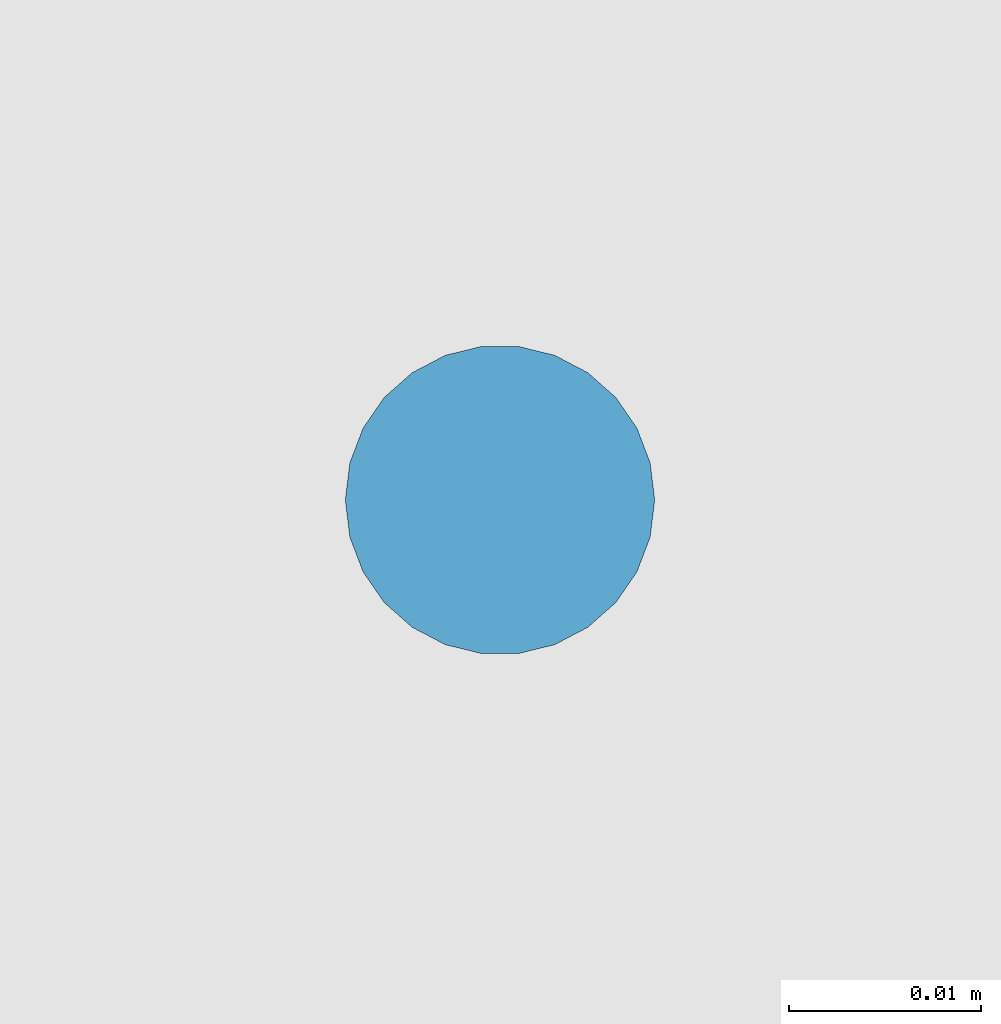
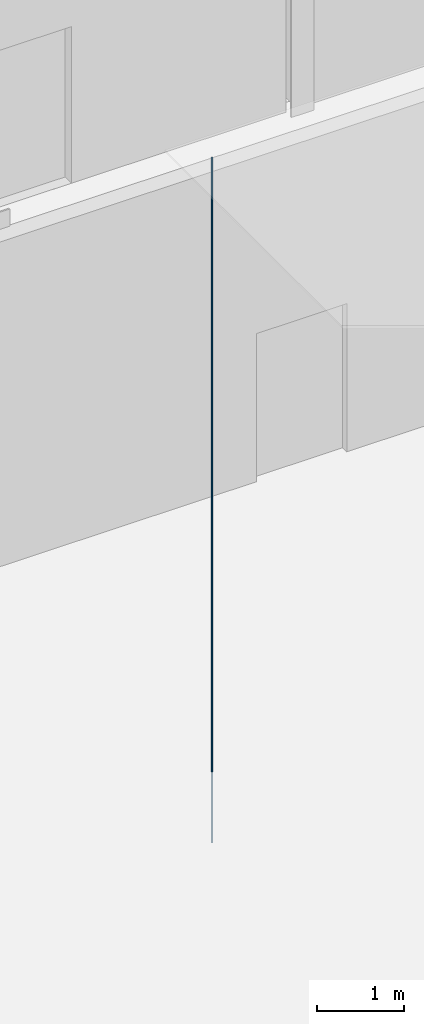
# One storey, part 64 of 82: 1 discrete accessory.
"""IFC4 building model written with IfcOpenShell, lengths in metres."""

import ifcopenshell
import ifcopenshell.guid

model = None  # the IFC model being written
_history = None  # IfcOwnerHistory: only IFC2X3 demands one
_inside = {}  # id of a spatial element -> (the spatial element, [elements in it])
_under = {}  # id of a project, library or spatial element -> (it, [spatial elements below it])
_declared = {}  # id of a project -> (the project, [libraries it declares])
_typed = {}  # id of a type object -> (the type object, [elements of that type])
_made_of = {}  # id of a material, layer set ... -> (it, [elements and type objects made of it])


def new_model(schema):
    """Start an empty IFC model of exactly this schema.

    Asked for "IFC4X3", IfcOpenShell would pick the latest addendum, in which some entities
    have other attributes; the version numbers below select the first issue.
    IFC2X3 requires an IfcOwnerHistory on every rooted entity: one is made here for all.
    """
    global model, _history
    if schema == "IFC4X3":
        model = ifcopenshell.file(schema_version=(4, 3, 0, 0))
    else:
        model = ifcopenshell.file(schema=schema)
    _inside.clear()
    _under.clear()
    _declared.clear()
    _typed.clear()
    _made_of.clear()
    _history = None
    if model.schema == "IFC2X3":
        org = make("IfcOrganization", Name="unknown")
        user = make(
            "IfcPersonAndOrganization",
            ThePerson=make("IfcPerson", FamilyName="unknown"),
            TheOrganization=org,
        )
        app = make(
            "IfcApplication",
            ApplicationDeveloper=org,
            Version="unknown",
            ApplicationFullName="unknown",
            ApplicationIdentifier="unknown",
        )
        _history = make(
            "IfcOwnerHistory",
            OwningUser=user,
            OwningApplication=app,
            ChangeAction="ADDED",
            CreationDate=0,
        )
    return model


def make(cls, **values):
    """One entity of the class cls with the attributes given. An attribute that is None is left unset."""
    return model.create_entity(
        cls, **{name: value for name, value in values.items() if value is not None}
    )


def rooted(cls, **values):
    """An entity with a GlobalId (a new one), such as an element, a storey or a relation."""
    return make(cls, GlobalId=ifcopenshell.guid.new(), OwnerHistory=_history, **values)


def si_unit(unit_type, name, prefix=None):
    """IfcSIUnit, for example si_unit("LENGTHUNIT", "METRE", prefix="MILLI")."""
    return make("IfcSIUnit", UnitType=unit_type, Prefix=prefix, Name=name)


def assignment(units):
    """IfcUnitAssignment: the units of a project."""
    return None if units is None else make("IfcUnitAssignment", Units=units)


def point(xyz):
    """IfcCartesianPoint."""
    return None if xyz is None else make("IfcCartesianPoint", Coordinates=xyz)


def direction(xyz):
    """IfcDirection."""
    return None if xyz is None else make("IfcDirection", DirectionRatios=xyz)


def frame(location, z_axis=None, x_axis=None):
    """IfcAxis2Placement3D, a coordinate frame: its origin and axes. An axis left out is left unset."""
    return make(
        "IfcAxis2Placement3D",
        Location=point(location),
        Axis=direction(z_axis),
        RefDirection=direction(x_axis),
    )


def frame_2d(location, x_axis=None):
    """IfcAxis2Placement2D, a coordinate frame in the plane: its origin and x axis."""
    return make(
        "IfcAxis2Placement2D", Location=point(location), RefDirection=direction(x_axis)
    )


def origin():
    """The frame at (0, 0, 0) with its axes left unset."""
    return frame((0.0, 0.0, 0.0))


def origin_2d():
    """The frame at (0, 0) in the plane with its x axis left unset."""
    return frame_2d((0.0, 0.0))


def place(relative_to, where):
    """IfcLocalPlacement: puts the frame where relative to a parent placement (None: the world)."""
    return make(
        "IfcLocalPlacement", PlacementRelTo=relative_to, RelativePlacement=where
    )


def context(
    kind, dimensions, precision=None, world=None, true_north=None, identifier=None
):
    """IfcGeometricRepresentationContext, for example the 3D "Model" context."""
    return make(
        "IfcGeometricRepresentationContext",
        ContextIdentifier=identifier,
        ContextType=kind,
        CoordinateSpaceDimension=dimensions,
        Precision=precision,
        WorldCoordinateSystem=world,
        TrueNorth=true_north,
    )


def subcontext(parent, identifier, kind, view, scale=None):
    """IfcGeometricRepresentationSubContext, for example "Body" below "Model"."""
    return make(
        "IfcGeometricRepresentationSubContext",
        ContextIdentifier=identifier,
        ContextType=kind,
        ParentContext=parent,
        TargetScale=scale,
        TargetView=view,
    )


def project(units=None, contexts=None):
    """IfcProject with its units and contexts."""
    return rooted(
        "IfcProject",
        Name="project",
        RepresentationContexts=contexts,
        UnitsInContext=assignment(units),
    )


def spatial(cls, under=None, at=None, **own):
    """A site, building, storey or space (cls), placed at a placement, below another one or the project."""
    s = rooted(cls, ObjectPlacement=at, **own)
    if under is not None:
        _under.setdefault(under.id(), (under, []))[1].append(s)
    return s


def profile(cls, at=None, kind="AREA", **sizes):
    """A parametric profile (cls). Its sizes go by their IFC names, for example OverallWidth=200.0."""
    return make(cls, ProfileType=kind, Position=at, **sizes)


def circle(**sizes):
    """IfcCircleProfileDef."""
    return profile("IfcCircleProfileDef", **sizes)


def extrude(swept, where, along, depth):
    """IfcExtrudedAreaSolid: the profile swept, set in the frame where, extruded along a direction by depth."""
    return make(
        "IfcExtrudedAreaSolid",
        SweptArea=swept,
        Position=where,
        ExtrudedDirection=direction(along),
        Depth=depth,
    )


def shape(context_of_items, identifier, shape_type, items):
    """IfcShapeRepresentation: the items that make up one representation, for example the "Body"."""
    return make(
        "IfcShapeRepresentation",
        ContextOfItems=context_of_items,
        RepresentationIdentifier=identifier,
        RepresentationType=shape_type,
        Items=items,
    )


def material(Name=None, Category=None):
    """IfcMaterial."""
    return make("IfcMaterial", Name=Name, Category=Category)


def made_of(thing, what):
    """Note that an element or type object is made of a material, layer set ...; save() writes the relation."""
    if what is not None:
        _made_of.setdefault(what.id(), (what, []))[1].append(thing)
    return thing


def type_object(cls, material=None, **own):
    """A type object (cls), such as IfcWallType, which elements share."""
    return made_of(rooted(cls, **own), material)


def element(
    cls,
    number,
    at=None,
    inside=None,
    cuts=None,
    type_object=None,
    material=None,
    context=None,
    identifier="Body",
    shape_type=None,
    held_by="IfcProductDefinitionShape",
    body=None,
    shapes=None,
    **own,
):
    """One element of the class cls, such as IfcWall. Its Tag is "e" and its number.

    at: its placement. inside: the storey or other place that contains it. cuts: it is an
    opening in that element (IfcRelVoidsElement). A single representation is given by context,
    identifier, shape_type and body (its items); several are given by shapes. held_by: the class
    of the entity that holds the representations. save() writes the other relations.
    """
    e = rooted(cls, Tag="e%d" % number, ObjectPlacement=at, **own)
    if body is not None:
        shapes = [shape(context, identifier, shape_type, body)]
    if shapes is not None:
        e.Representation = make(held_by, Representations=shapes)
    if inside is not None:
        _inside.setdefault(inside.id(), (inside, []))[1].append(e)
    if cuts is not None:
        rooted(
            "IfcRelVoidsElement", RelatingBuildingElement=cuts, RelatedOpeningElement=e
        )
    if type_object is not None:
        _typed.setdefault(type_object.id(), (type_object, []))[1].append(e)
    return made_of(e, material)


def aggregate(whole, parts):
    """IfcRelAggregates: a whole, such as a stair, and the parts it consists of."""
    return rooted("IfcRelAggregates", RelatingObject=whole, RelatedObjects=parts)


def save(model, path):
    """Write the relations noted so far, then the file.

    IfcRelAggregates (storeys below a building ...), IfcRelContainedInSpatialStructure (elements
    in a storey), IfcRelDefinesByType, IfcRelAssociatesMaterial and IfcRelDeclares: one each for
    every whole, place, type object, material and project.
    """
    for whole, parts in _under.values():
        aggregate(whole, parts)
    for where, things in _inside.values():
        rooted(
            "IfcRelContainedInSpatialStructure",
            RelatedElements=things,
            RelatingStructure=where,
        )
    for kind, things in _typed.values():
        rooted("IfcRelDefinesByType", RelatedObjects=things, RelatingType=kind)
    for what, things in _made_of.values():
        rooted("IfcRelAssociatesMaterial", RelatedObjects=things, RelatingMaterial=what)
    for by, libraries in _declared.values():
        rooted("IfcRelDeclares", RelatingContext=by, RelatedDefinitions=libraries)
    model.write(path)


model = new_model("IFC4")

# Units and contexts
model_context = context("Model", 3, precision=1e-05, world=origin(), true_north=direction((0.0, 1.0)))
body_context = subcontext(model_context, "Body", "Model", "MODEL_VIEW")
ifc_project = project(units=[si_unit("LENGTHUNIT", "METRE"), si_unit("AREAUNIT", "SQUARE_METRE"), si_unit("VOLUMEUNIT", "CUBIC_METRE"), si_unit("PLANEANGLEUNIT", "RADIAN"), si_unit("MASSUNIT", "GRAM", prefix="KILO")], contexts=[model_context])

# Site, building, storey
site_placement = place(None, origin())
site = spatial("IfcSite", under=ifc_project, at=site_placement, CompositionType="ELEMENT")
building_placement = place(site_placement, origin())
building = spatial("IfcBuilding", under=site, at=building_placement, Name="Yukiwa Park Conservatory and Herbarium", CompositionType="ELEMENT")
storey_placement = place(building_placement, origin())
storey = spatial("IfcBuildingStorey", under=building, at=storey_placement, Name="L00", CompositionType="ELEMENT", Elevation=0.0)

# Discrete accessory
ifc_material = material(Name="Steel Q235B", Category="steel")
discrete_accessory_type = type_object("IfcDiscreteAccessoryType", Name="ACC-CEILING-HANGER", PredefinedType="BRACKET", material=ifc_material)
discrete_accessory_placement = place(storey_placement, frame((22.5, 98.0, 8.625), z_axis=(0.0, 0.0, -1.0), x_axis=(1.0, 0.0, 0.0)))
element("IfcDiscreteAccessory", 1, at=discrete_accessory_placement, inside=storey, type_object=discrete_accessory_type, Name="Ceiling suspension hanger rod 12", PredefinedType="BRACKET", context=body_context, shape_type="SweptSolid", body=[
    extrude(circle(Radius=0.008056640625, at=origin_2d()), origin(), (0.0, 0.0, 1.0), 9.6201171875),
])

save(model, "model.ifc")
